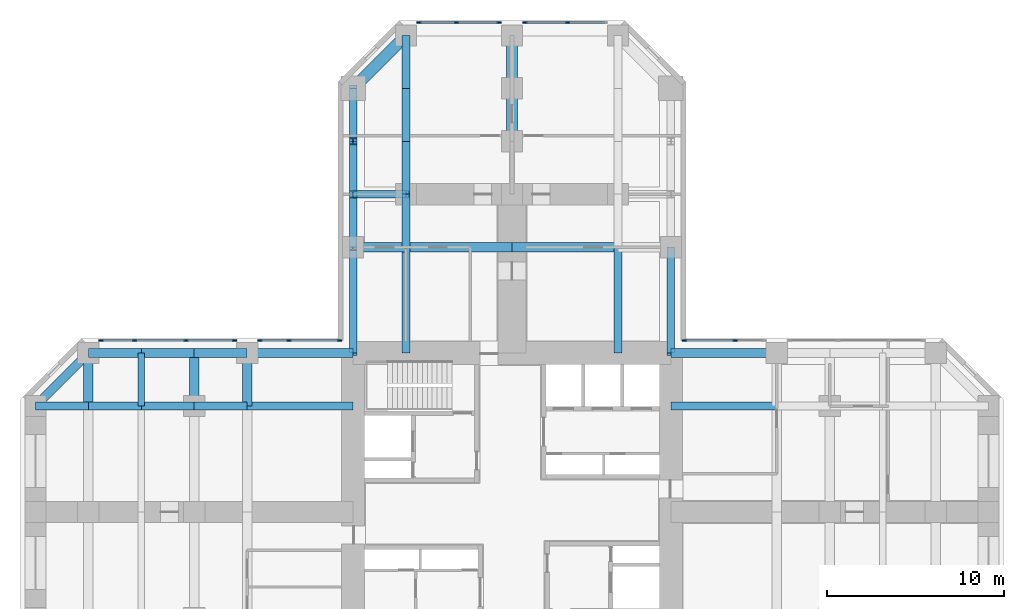
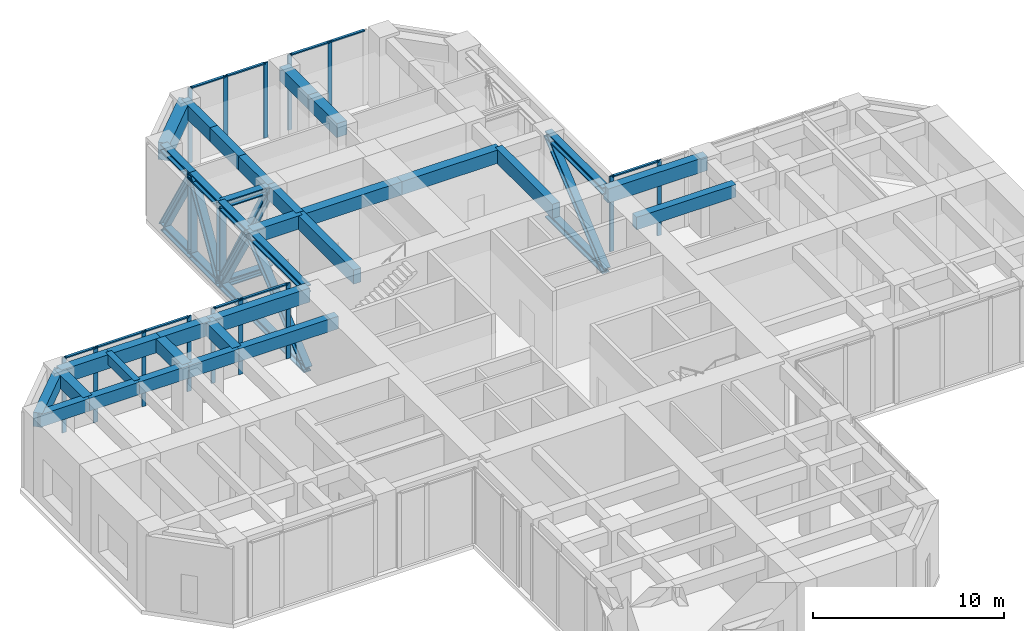
# One storey, part 4 of 11: 44 members, 28 beams, 3 elements without a shape of their own.
"""IFC4 building model written with IfcOpenShell, lengths in metres."""

from ifc_helpers import new_model, si_unit, direction, frame, origin, origin_2d, place, context, subcontext, project, spatial, rectangle, i_section, extrude, material, material_profile, profile_set, type_object, element, aggregate, save


model = new_model("IFC4")

# Units and contexts
model_context = context("Model", 3, precision=1e-05, world=origin(), true_north=direction((0.0, 1.0)))
body_context = subcontext(model_context, "Body", "Model", "MODEL_VIEW")
ifc_project = project(units=[si_unit("LENGTHUNIT", "METRE"), si_unit("AREAUNIT", "SQUARE_METRE"), si_unit("VOLUMEUNIT", "CUBIC_METRE"), si_unit("PLANEANGLEUNIT", "RADIAN"), si_unit("MASSUNIT", "GRAM", prefix="KILO")], contexts=[model_context])

# Site, building, storey
site_placement = place(None, origin())
site = spatial("IfcSite", under=ifc_project, at=site_placement, CompositionType="ELEMENT")
building_placement = place(site_placement, origin())
building = spatial("IfcBuilding", under=site, at=building_placement, Name="Torre Cruceta", CompositionType="ELEMENT")
storey_placement = place(building_placement, frame((0.0, 0.0, 95.5)))
storey = spatial("IfcBuildingStorey", under=building, at=storey_placement, Name="L23", CompositionType="ELEMENT", Elevation=95.5)

# Beams
ifc_material_1 = material(Name="Concrete G60 (fck 60 MPa)", Category="concrete")
ifc_material_profile_1 = material_profile(ifc_material_1, rectangle(XDim=0.60009765625, YDim=0.89990234375, at=origin_2d()), Name="RC 600X900")
ifc_profile_set_1 = profile_set([ifc_material_profile_1], Name="Concrete G60 (fck 60 MPa)")
beam_type_1 = type_object("IfcBeamType", Name="ARM CENTRE BEAM RC 600X900", PredefinedType="BEAM", material=ifc_profile_set_1)
for number, where, z_axis, x_axis, name in (
    (1, (0.0, 21.0, 4.35009765625), (0.0, 1.0, 0.0), (-1.0, 0.0, 0.0), "MB3 L23 N centre 1"),
    (2, (0.0, 24.0, 4.35009765625), (0.0, 1.0, 0.0), (-1.0, 0.0, 0.0), "MB3 L23 N centre 2"),
):
    element("IfcBeam", number, at=place(storey_placement, frame(where, z_axis=z_axis, x_axis=x_axis)), inside=storey, type_object=beam_type_1, Name=name, PredefinedType="BEAM", context=body_context, shape_type="SweptSolid", body=[
        extrude(rectangle(XDim=0.60009765625, YDim=0.89990234375, at=origin_2d()), origin(), (0.0, 0.0, 1.0), 3.0),
    ])

# Members
ifc_material_2 = material(Name="Steel A913 Gr65", Category="steel")
ifc_material_profile_2 = material_profile(ifc_material_2, i_section(OverallWidth=0.419189453125, OverallDepth=0.45458984375, WebThickness=0.042236328125, FlangeThickness=0.067626953125, at=origin_2d()), Name="W14X370")
ifc_profile_set_2 = profile_set([ifc_material_profile_2], Name="Steel A913 Gr65")
member_type_1 = type_object("IfcMemberType", Name="BELT TRUSS CHORD 1 W14X370", PredefinedType="CHORD", material=ifc_profile_set_2)
for number, where, z_axis, x_axis, name in (
    (3, (9.0, 9.0, -0.477294921875), (0.0, 1.0, 0.0), (-1.0, 0.0, 0.0), "Belt truss 1 S-B1"),
    (4, (9.0, 9.0, 4.57275390625), (0.0, 1.0, 0.0), (-1.0, 0.0, 0.0), "Belt truss 1 S-T1"),
    (5, (-9.0, 9.0, -0.477294921875), (0.0, 1.0, 0.0), (-1.0, 0.0, 0.0), "Belt truss 1 S+B1"),
    (6, (-9.0, 9.0, 4.57275390625), (0.0, 1.0, 0.0), (-1.0, 0.0, 0.0), "Belt truss 1 S+T1"),
):
    element("IfcMember", number, at=place(storey_placement, frame(where, z_axis=z_axis, x_axis=x_axis)), inside=storey, type_object=member_type_1, Name=name, PredefinedType="CHORD", context=body_context, shape_type="SweptSolid", body=[
        extrude(i_section(OverallWidth=0.419189453125, OverallDepth=0.45458984375, WebThickness=0.042236328125, FlangeThickness=0.067626953125, at=origin_2d()), origin(), (0.0, 0.0, 1.0), 6.0),
    ])
for number, where, z_axis, x_axis, name in (
    (7, (-9.0, 15.0, -0.477294921875), (0.0, 1.0, 0.0), (-1.0, 0.0, 0.0), "Belt truss 1 S+B2"),
    (8, (-9.0, 15.0, 4.57275390625), (0.0, 1.0, 0.0), (-1.0, 0.0, 0.0), "Belt truss 1 S+T2"),
    (9, (-9.0, 18.0, -0.477294921875), (0.0, 1.0, 0.0), (-1.0, 0.0, 0.0), "Belt truss 1 S+B3"),
    (10, (-9.0, 18.0, 4.57275390625), (0.0, 1.0, 0.0), (-1.0, 0.0, 0.0), "Belt truss 1 S+T3"),
    (11, (-9.0, 21.0, -0.477294921875), (0.0, 1.0, 0.0), (-1.0, 0.0, 0.0), "Belt truss 1 S+B4"),
    (12, (-9.0, 21.0, 4.57275390625), (0.0, 1.0, 0.0), (-1.0, 0.0, 0.0), "Belt truss 1 S+T4"),
    (13, (-6.0, 18.0, -0.477294921875), (-1.0, 0.0, 0.0), (0.0, -1.0, 0.0), "Belt truss 1 XB4"),
    (14, (-6.0, 18.0, 4.57275390625), (-1.0, 0.0, 0.0), (0.0, -1.0, 0.0), "Belt truss 1 XT4"),
):
    element("IfcMember", number, at=place(storey_placement, frame(where, z_axis=z_axis, x_axis=x_axis)), inside=storey, type_object=member_type_1, Name=name, PredefinedType="CHORD", context=body_context, shape_type="SweptSolid", body=[
        extrude(i_section(OverallWidth=0.419189453125, OverallDepth=0.45458984375, WebThickness=0.042236328125, FlangeThickness=0.067626953125, at=origin_2d()), origin(), (0.0, 0.0, 1.0), 3.0),
    ])
ifc_material_3 = material(Name="Steel A913 Gr65", Category="steel")
ifc_material_profile_3 = material_profile(ifc_material_3, i_section(OverallWidth=0.419189453125, OverallDepth=0.45458984375, WebThickness=0.042236328125, FlangeThickness=0.067626953125, at=origin_2d()), Name="W14X370")
ifc_profile_set_3 = profile_set([ifc_material_profile_3], Name="Steel A913 Gr65")
member_type_2 = type_object("IfcMemberType", Name="BELT TRUSS DIAGONAL 1 W14X370", PredefinedType="BRACE", material=ifc_profile_set_3)
for number, where, z_axis, x_axis, name in (
    (15, (9.0, 9.0, -0.477294921875), (0.0, 0.76507343808, 0.643943036568), (-1.0, 0.0, 0.0), "Belt truss 1 S-D1"),
    (16, (-9.0, 9.0, -0.477294921875), (0.0, 0.76507343808, 0.643943036568), (-1.0, 0.0, 0.0), "Belt truss 1 S+D1"),
):
    element("IfcMember", number, at=place(storey_placement, frame(where, z_axis=z_axis, x_axis=x_axis)), inside=storey, type_object=member_type_2, Name=name, PredefinedType="BRACE", context=body_context, shape_type="SweptSolid", body=[
        extrude(i_section(OverallWidth=0.419189453125, OverallDepth=0.45458984375, WebThickness=0.042236328125, FlangeThickness=0.067626953125, at=origin_2d()), origin(), (0.0, 0.0, 1.0), 7.84228515625),
    ])
for number, where, z_axis, x_axis, name in (
    (17, (-9.0, 18.0, -0.477294921875), (0.0, -0.510731763788, 0.859740115068), (1.0, 0.0, 0.0), "Belt truss 1 S+D2"),
    (18, (-9.0, 18.0, -0.477294921875), (0.0, 0.510731763788, 0.859740115068), (-1.0, 0.0, 0.0), "Belt truss 1 S+D3"),
    (19, (-9.0, 24.0, -0.477294921875), (0.0, -0.510731763788, 0.859740115068), (1.0, 0.0, 0.0), "Belt truss 1 S+D4"),
    (20, (-9.0, 18.0, -0.477294921875), (0.510731763788, 0.0, 0.859740115068), (0.0, 1.0, 0.0), "Belt truss 1 XD4"),
):
    element("IfcMember", number, at=place(storey_placement, frame(where, z_axis=z_axis, x_axis=x_axis)), inside=storey, type_object=member_type_2, Name=name, PredefinedType="BRACE", context=body_context, shape_type="SweptSolid", body=[
        extrude(i_section(OverallWidth=0.419189453125, OverallDepth=0.45458984375, WebThickness=0.042236328125, FlangeThickness=0.067626953125, at=origin_2d()), origin(), (0.0, 0.0, 1.0), 5.8740234375),
    ])
ifc_material_4 = material(Name="Steel A913 Gr65", Category="steel")
ifc_material_profile_4 = material_profile(ifc_material_4, i_section(OverallWidth=0.393798828125, OverallDepth=0.3759765625, WebThickness=0.017333984375, FlangeThickness=0.027587890625, at=origin_2d()), Name="W14X145")
ifc_profile_set_4 = profile_set([ifc_material_profile_4], Name="Steel A913 Gr65")
member_type_3 = type_object("IfcMemberType", Name="BELT TRUSS POST 1 W14X145", PredefinedType="POST", material=ifc_profile_set_4)
for number, where, z_axis, x_axis, name in (
    (21, (-9.0, 18.0, -0.477294921875), (0.0, 0.0, 1.0), (1.0, 0.0, 0.0), "Belt truss 1 S+P18"),
    (22, (-9.0, 21.0, -0.477294921875), (0.0, 0.0, 1.0), (1.0, 0.0, 0.0), "Belt truss 1 S+P21"),
):
    element("IfcMember", number, at=place(storey_placement, frame(where, z_axis=z_axis, x_axis=x_axis)), inside=storey, type_object=member_type_3, Name=name, PredefinedType="POST", context=body_context, shape_type="SweptSolid", body=[
        extrude(i_section(OverallWidth=0.393798828125, OverallDepth=0.3759765625, WebThickness=0.017333984375, FlangeThickness=0.027587890625, at=origin_2d()), origin(), (0.0, 0.0, 1.0), 5.050048828125),
    ])

# Beams
ifc_material_5 = material(Name="Concrete G60 (fck 60 MPa)", Category="concrete")
ifc_material_profile_5 = material_profile(ifc_material_5, rectangle(XDim=0.449951171875, YDim=0.800048828125, at=origin_2d()), Name="RC 450X800")
ifc_profile_set_5 = profile_set([ifc_material_profile_5], Name="Concrete G60 (fck 60 MPa)")
beam_type_2 = type_object("IfcBeamType", Name="COLUMN LINE BEAM RC 450X800", PredefinedType="BEAM", material=ifc_profile_set_5)
for number, where, z_axis, x_axis, name in (
    (23, (9.0, 6.0, 4.39990234375), (1.0, 0.0, 0.0), (0.0, 1.0, 0.0), "LB1 L23 E col+ 1"),
    (24, (-9.0, 6.0, 4.39990234375), (-1.0, 0.0, 0.0), (0.0, -1.0, 0.0), "LB1 L23 W col- 1"),
):
    element("IfcBeam", number, at=place(storey_placement, frame(where, z_axis=z_axis, x_axis=x_axis)), inside=storey, type_object=beam_type_2, Name=name, PredefinedType="BEAM", context=body_context, shape_type="SweptSolid", body=[
        extrude(rectangle(XDim=0.449951171875, YDim=0.800048828125, at=origin_2d()), origin(), (0.0, 0.0, 1.0), 6.0),
    ])
for number, where, z_axis, x_axis, name in (
    (25, (-15.0, 6.0, 4.39990234375), (-1.0, 0.0, 0.0), (0.0, -1.0, 0.0), "LB1 L23 W col- 2"),
    (26, (-18.0, 6.0, 4.39990234375), (-1.0, 0.0, 0.0), (0.0, -1.0, 0.0), "LB1 L23 W col- 3"),
    (27, (-21.0, 6.0, 4.39990234375), (-1.0, 0.0, 0.0), (0.0, -1.0, 0.0), "LB1 L23 W col- 4"),
    (28, (-24.0, 6.0, 4.39990234375), (-1.0, 0.0, 0.0), (0.0, -1.0, 0.0), "LB1 L23 W col- 5"),
):
    element("IfcBeam", number, at=place(storey_placement, frame(where, z_axis=z_axis, x_axis=x_axis)), inside=storey, type_object=beam_type_2, Name=name, PredefinedType="BEAM", context=body_context, shape_type="SweptSolid", body=[
        extrude(rectangle(XDim=0.449951171875, YDim=0.800048828125, at=origin_2d()), origin(), (0.0, 0.0, 1.0), 3.0),
    ])
ifc_material_6 = material(Name="Concrete G60 (fck 60 MPa)", Category="concrete")
ifc_material_profile_6 = material_profile(ifc_material_6, rectangle(XDim=0.449951171875, YDim=0.89990234375, at=origin_2d()), Name="RC 450X900")
ifc_profile_set_6 = profile_set([ifc_material_profile_6], Name="Concrete G60 (fck 60 MPa)")
beam_type_3 = type_object("IfcBeamType", Name="COLUMN LINE BEAM RC 450X900", PredefinedType="BEAM", material=ifc_profile_set_6)
for number, where, z_axis, x_axis, name in (
    (29, (6.0, 9.0, 4.35009765625), (0.0, 1.0, 0.0), (-1.0, 0.0, 0.0), "LB4 L23 N col- 1"),
    (30, (-6.0, 9.0, 4.35009765625), (0.0, 1.0, 0.0), (-1.0, 0.0, 0.0), "LB4 L23 N col+ 1"),
):
    element("IfcBeam", number, at=place(storey_placement, frame(where, z_axis=z_axis, x_axis=x_axis)), inside=storey, type_object=beam_type_3, Name=name, PredefinedType="BEAM", context=body_context, shape_type="SweptSolid", body=[
        extrude(rectangle(XDim=0.449951171875, YDim=0.89990234375, at=origin_2d()), origin(), (0.0, 0.0, 1.0), 6.0),
    ])
for number, where, z_axis, x_axis, name in (
    (31, (-6.0, 15.0, 4.35009765625), (0.0, 1.0, 0.0), (-1.0, 0.0, 0.0), "LB4 L23 N col+ 2"),
    (32, (-6.0, 18.0, 4.35009765625), (0.0, 1.0, 0.0), (-1.0, 0.0, 0.0), "LB4 L23 N col+ 3"),
    (33, (-6.0, 21.0, 4.35009765625), (0.0, 1.0, 0.0), (-1.0, 0.0, 0.0), "LB4 L23 N col+ 4"),
    (34, (-6.0, 24.0, 4.35009765625), (0.0, 1.0, 0.0), (-1.0, 0.0, 0.0), "LB4 L23 N col+ 5"),
):
    element("IfcBeam", number, at=place(storey_placement, frame(where, z_axis=z_axis, x_axis=x_axis)), inside=storey, type_object=beam_type_3, Name=name, PredefinedType="BEAM", context=body_context, shape_type="SweptSolid", body=[
        extrude(rectangle(XDim=0.449951171875, YDim=0.89990234375, at=origin_2d()), origin(), (0.0, 0.0, 1.0), 3.0),
    ])
ifc_material_7 = material(Name="Concrete G60 (fck 60 MPa)", Category="concrete")
ifc_material_profile_7 = material_profile(ifc_material_7, rectangle(XDim=0.550048828125, YDim=0.85009765625, at=origin_2d()), Name="RC 550X850")
ifc_profile_set_7 = profile_set([ifc_material_profile_7], Name="Concrete G60 (fck 60 MPa)")
beam_type_4 = type_object("IfcBeamType", Name="CROSS BEAM RC 550X850", PredefinedType="BEAM", material=ifc_profile_set_7)
for number, where, z_axis, x_axis, name in (
    (35, (6.0, 15.0, 4.375), (-1.0, 0.0, 0.0), (0.0, -1.0, 0.0), "GB4 L23 N cross15 2"),
    (36, (0.0, 15.0, 4.375), (-1.0, 0.0, 0.0), (0.0, -1.0, 0.0), "GB4 L23 N cross15 3"),
):
    element("IfcBeam", number, at=place(storey_placement, frame(where, z_axis=z_axis, x_axis=x_axis)), inside=storey, type_object=beam_type_4, Name=name, PredefinedType="BEAM", context=body_context, shape_type="SweptSolid", body=[
        extrude(rectangle(XDim=0.550048828125, YDim=0.85009765625, at=origin_2d()), origin(), (0.0, 0.0, 1.0), 6.0),
    ])
for number, where, z_axis, x_axis, name in (
    (37, (-6.0, 15.0, 4.375), (-1.0, 0.0, 0.0), (0.0, -1.0, 0.0), "GB4 L23 N cross15 4"),
    (38, (-15.0, 9.0, 4.375), (0.0, -1.0, 0.0), (1.0, 0.0, 0.0), "GB4 L23 W cross15 1"),
    (39, (-18.0, 9.0, 4.375), (0.0, -1.0, 0.0), (1.0, 0.0, 0.0), "GB4 L23 W cross18 1"),
    (40, (-24.0, 9.0, 4.375), (0.0, -1.0, 0.0), (1.0, 0.0, 0.0), "GB4 L23 W cross24 1"),
):
    element("IfcBeam", number, at=place(storey_placement, frame(where, z_axis=z_axis, x_axis=x_axis)), inside=storey, type_object=beam_type_4, Name=name, PredefinedType="BEAM", context=body_context, shape_type="SweptSolid", body=[
        extrude(rectangle(XDim=0.550048828125, YDim=0.85009765625, at=origin_2d()), origin(), (0.0, 0.0, 1.0), 3.0),
    ])

# Curtain wall, members
ifc_material_8 = material(Name="Aluminium unitised curtain wall", Category="aluminium")
curtain_wall_type = type_object("IfcCurtainWallType", Name="CURTAIN WALL CW-S SKY GARDEN", PredefinedType="USERDEFINED", material=ifc_material_8)
curtain_wall_1_placement = place(storey_placement, origin())
curtain_wall_1 = element("IfcCurtainWall", 41, at=curtain_wall_1_placement, inside=storey, type_object=curtain_wall_type, Name="CW-S L23 E side 04", ObjectType="UNITISED", PredefinedType="USERDEFINED")
ifc_material_9 = material(Name="Aluminium mullion", Category="aluminium")
ifc_material_profile_8 = material_profile(ifc_material_9, rectangle(XDim=0.080078125, YDim=0.25, at=origin_2d()), Name="AL 80X250")
ifc_profile_set_8 = profile_set([ifc_material_profile_8], Name="Aluminium mullion")
member_type_4 = type_object("IfcMemberType", Name="CW-S MULLION 80X250", PredefinedType="MULLION", material=ifc_profile_set_8)
member_1_placement = place(storey_placement, frame((12.6357421875, 9.719970703125, 0.0), z_axis=(0.0, 0.0, 1.0), x_axis=(0.0, -1.0, 0.0)))
member_1 = element("IfcMember", 42, at=member_1_placement, type_object=member_type_4, Name="CW-S mullion 6", PredefinedType="MULLION", context=body_context, shape_type="SweptSolid", body=[
    extrude(rectangle(XDim=0.080078125, YDim=0.25, at=origin_2d()), origin(), (0.0, 0.0, 1.0), 4.800048828125),
])
member_2_placement = place(storey_placement, frame((9.760009765625, 9.719970703125, 0.0), z_axis=(0.0, 0.0, 1.0), x_axis=(0.0, -1.0, 0.0)))
member_2 = element("IfcMember", 43, at=member_2_placement, type_object=member_type_4, Name="CW-S mullion 7", PredefinedType="MULLION", context=body_context, shape_type="SweptSolid", body=[
    extrude(rectangle(XDim=0.080078125, YDim=0.25, at=origin_2d()), origin(), (0.0, 0.0, 1.0), 4.800048828125),
])

curtain_wall_2_placement = place(storey_placement, origin())
curtain_wall_2 = element("IfcCurtainWall", 44, at=curtain_wall_2_placement, inside=storey, type_object=curtain_wall_type, Name="CW-S L23 N tip 07", ObjectType="UNITISED", PredefinedType="USERDEFINED")
member_3_placement = place(storey_placement, frame((3.149169921875, 27.719970703125, 0.0), z_axis=(0.0, 0.0, 1.0), x_axis=(0.0, -1.0, 0.0)))
member_3 = element("IfcMember", 45, at=member_3_placement, type_object=member_type_4, Name="CW-S mullion 2", PredefinedType="MULLION", context=body_context, shape_type="SweptSolid", body=[
    extrude(rectangle(XDim=0.080078125, YDim=0.25, at=origin_2d()), origin(), (0.0, 0.0, 1.0), 4.800048828125),
])
member_4_placement = place(storey_placement, frame((0.72607421875, 27.719970703125, 0.0), z_axis=(0.0, 0.0, 1.0), x_axis=(0.0, -1.0, 0.0)))
member_4 = element("IfcMember", 46, at=member_4_placement, type_object=member_type_4, Name="CW-S mullion 3", PredefinedType="MULLION", context=body_context, shape_type="SweptSolid", body=[
    extrude(rectangle(XDim=0.080078125, YDim=0.25, at=origin_2d()), origin(), (0.0, 0.0, 1.0), 4.800048828125),
])
member_5_placement = place(storey_placement, frame((-0.72607421875, 27.719970703125, 0.0), z_axis=(0.0, 0.0, 1.0), x_axis=(0.0, -1.0, 0.0)))
member_5 = element("IfcMember", 47, at=member_5_placement, type_object=member_type_4, Name="CW-S mullion 4", PredefinedType="MULLION", context=body_context, shape_type="SweptSolid", body=[
    extrude(rectangle(XDim=0.080078125, YDim=0.25, at=origin_2d()), origin(), (0.0, 0.0, 1.0), 4.800048828125),
])
member_6_placement = place(storey_placement, frame((-3.149169921875, 27.719970703125, 0.0), z_axis=(0.0, 0.0, 1.0), x_axis=(0.0, -1.0, 0.0)))
member_6 = element("IfcMember", 48, at=member_6_placement, type_object=member_type_4, Name="CW-S mullion 5", PredefinedType="MULLION", context=body_context, shape_type="SweptSolid", body=[
    extrude(rectangle(XDim=0.080078125, YDim=0.25, at=origin_2d()), origin(), (0.0, 0.0, 1.0), 4.800048828125),
])
member_7_placement = place(storey_placement, frame((-5.27392578125, 27.719970703125, 0.0), z_axis=(0.0, 0.0, 1.0), x_axis=(0.0, -1.0, 0.0)))
member_7 = element("IfcMember", 49, at=member_7_placement, type_object=member_type_4, Name="CW-S mullion 6", PredefinedType="MULLION", context=body_context, shape_type="SweptSolid", body=[
    extrude(rectangle(XDim=0.080078125, YDim=0.25, at=origin_2d()), origin(), (0.0, 0.0, 1.0), 4.800048828125),
])

curtain_wall_3_placement = place(storey_placement, origin())
curtain_wall_3 = element("IfcCurtainWall", 50, at=curtain_wall_3_placement, inside=storey, type_object=curtain_wall_type, Name="CW-S L23 W side 10", ObjectType="UNITISED", PredefinedType="USERDEFINED")
member_8_placement = place(storey_placement, frame((-9.760009765625, 9.719970703125, 0.0), z_axis=(0.0, 0.0, 1.0), x_axis=(0.0, -1.0, 0.0)))
member_8 = element("IfcMember", 51, at=member_8_placement, type_object=member_type_4, Name="CW-S mullion 1", PredefinedType="MULLION", context=body_context, shape_type="SweptSolid", body=[
    extrude(rectangle(XDim=0.080078125, YDim=0.25, at=origin_2d()), origin(), (0.0, 0.0, 1.0), 4.800048828125),
])
member_9_placement = place(storey_placement, frame((-12.6357421875, 9.719970703125, 0.0), z_axis=(0.0, 0.0, 1.0), x_axis=(0.0, -1.0, 0.0)))
member_9 = element("IfcMember", 52, at=member_9_placement, type_object=member_type_4, Name="CW-S mullion 2", PredefinedType="MULLION", context=body_context, shape_type="SweptSolid", body=[
    extrude(rectangle(XDim=0.080078125, YDim=0.25, at=origin_2d()), origin(), (0.0, 0.0, 1.0), 4.800048828125),
])
member_10_placement = place(storey_placement, frame((-14.27392578125, 9.719970703125, 0.0), z_axis=(0.0, 0.0, 1.0), x_axis=(0.0, -1.0, 0.0)))
member_10 = element("IfcMember", 53, at=member_10_placement, type_object=member_type_4, Name="CW-S mullion 3", PredefinedType="MULLION", context=body_context, shape_type="SweptSolid", body=[
    extrude(rectangle(XDim=0.080078125, YDim=0.25, at=origin_2d()), origin(), (0.0, 0.0, 1.0), 4.800048828125),
])
member_11_placement = place(storey_placement, frame((-15.72607421875, 9.719970703125, 0.0), z_axis=(0.0, 0.0, 1.0), x_axis=(0.0, -1.0, 0.0)))
member_11 = element("IfcMember", 54, at=member_11_placement, type_object=member_type_4, Name="CW-S mullion 4", PredefinedType="MULLION", context=body_context, shape_type="SweptSolid", body=[
    extrude(rectangle(XDim=0.080078125, YDim=0.25, at=origin_2d()), origin(), (0.0, 0.0, 1.0), 4.800048828125),
])
member_12_placement = place(storey_placement, frame((-18.467041015625, 9.719970703125, 0.0), z_axis=(0.0, 0.0, 1.0), x_axis=(0.0, -1.0, 0.0)))
member_12 = element("IfcMember", 55, at=member_12_placement, type_object=member_type_4, Name="CW-S mullion 5", PredefinedType="MULLION", context=body_context, shape_type="SweptSolid", body=[
    extrude(rectangle(XDim=0.080078125, YDim=0.25, at=origin_2d()), origin(), (0.0, 0.0, 1.0), 4.800048828125),
])
member_13_placement = place(storey_placement, frame((-21.382568359375, 9.719970703125, 0.0), z_axis=(0.0, 0.0, 1.0), x_axis=(0.0, -1.0, 0.0)))
member_13 = element("IfcMember", 56, at=member_13_placement, type_object=member_type_4, Name="CW-S mullion 6", PredefinedType="MULLION", context=body_context, shape_type="SweptSolid", body=[
    extrude(rectangle(XDim=0.080078125, YDim=0.25, at=origin_2d()), origin(), (0.0, 0.0, 1.0), 4.800048828125),
])
member_14_placement = place(storey_placement, frame((-23.27392578125, 9.719970703125, 0.0), z_axis=(0.0, 0.0, 1.0), x_axis=(0.0, -1.0, 0.0)))
member_14 = element("IfcMember", 57, at=member_14_placement, type_object=member_type_4, Name="CW-S mullion 7", PredefinedType="MULLION", context=body_context, shape_type="SweptSolid", body=[
    extrude(rectangle(XDim=0.080078125, YDim=0.25, at=origin_2d()), origin(), (0.0, 0.0, 1.0), 4.800048828125),
])

# Member
ifc_material_10 = material(Name="Aluminium transom", Category="aluminium")
ifc_material_profile_9 = material_profile(ifc_material_10, rectangle(XDim=0.14990234375, YDim=0.080078125, at=origin_2d()), Name="AL 150X80")
ifc_profile_set_9 = profile_set([ifc_material_profile_9], Name="Aluminium transom")
member_type_5 = type_object("IfcMemberType", Name="CW-S TRANSOM 80X150", PredefinedType="USERDEFINED", material=ifc_profile_set_9)
member_15_placement = place(storey_placement, frame((12.595703125, 9.719970703125, 4.760009765625), z_axis=(-1.0, 0.0, 0.0), x_axis=(0.0, -1.0, 0.0)))
member_15 = element("IfcMember", 58, at=member_15_placement, type_object=member_type_5, Name="CW-S transom 5", ObjectType="TRANSOM", PredefinedType="USERDEFINED", context=body_context, shape_type="SweptSolid", body=[
    extrude(rectangle(XDim=0.14990234375, YDim=0.080078125, at=origin_2d()), origin(), (0.0, 0.0, 1.0), 2.795654296875),
])

aggregate(curtain_wall_1, [member_1, member_2, member_15])

member_16_placement = place(storey_placement, frame((5.23388671875, 27.719970703125, 4.760009765625), z_axis=(-1.0, 0.0, 0.0), x_axis=(0.0, -1.0, 0.0)))
member_16 = element("IfcMember", 59, at=member_16_placement, type_object=member_type_5, Name="CW-S transom 1", ObjectType="TRANSOM", PredefinedType="USERDEFINED", context=body_context, shape_type="SweptSolid", body=[
    extrude(rectangle(XDim=0.14990234375, YDim=0.080078125, at=origin_2d()), origin(), (0.0, 0.0, 1.0), 2.044677734375),
])

member_17_placement = place(storey_placement, frame((3.109130859375, 27.719970703125, 4.760009765625), z_axis=(-1.0, 0.0, 0.0), x_axis=(0.0, -1.0, 0.0)))
member_17 = element("IfcMember", 60, at=member_17_placement, type_object=member_type_5, Name="CW-S transom 2", ObjectType="TRANSOM", PredefinedType="USERDEFINED", context=body_context, shape_type="SweptSolid", body=[
    extrude(rectangle(XDim=0.14990234375, YDim=0.080078125, at=origin_2d()), origin(), (0.0, 0.0, 1.0), 2.343017578125),
])

member_18_placement = place(storey_placement, frame((-0.76611328125, 27.719970703125, 4.760009765625), z_axis=(-1.0, 0.0, 0.0), x_axis=(0.0, -1.0, 0.0)))
member_18 = element("IfcMember", 61, at=member_18_placement, type_object=member_type_5, Name="CW-S transom 3", ObjectType="TRANSOM", PredefinedType="USERDEFINED", context=body_context, shape_type="SweptSolid", body=[
    extrude(rectangle(XDim=0.14990234375, YDim=0.080078125, at=origin_2d()), origin(), (0.0, 0.0, 1.0), 2.343017578125),
])

member_19_placement = place(storey_placement, frame((-3.189208984375, 27.719970703125, 4.760009765625), z_axis=(-1.0, 0.0, 0.0), x_axis=(0.0, -1.0, 0.0)))
member_19 = element("IfcMember", 62, at=member_19_placement, type_object=member_type_5, Name="CW-S transom 4", ObjectType="TRANSOM", PredefinedType="USERDEFINED", context=body_context, shape_type="SweptSolid", body=[
    extrude(rectangle(XDim=0.14990234375, YDim=0.080078125, at=origin_2d()), origin(), (0.0, 0.0, 1.0), 2.044677734375),
])

aggregate(curtain_wall_2, [member_3, member_4, member_5, member_6, member_7, member_16, member_17, member_18, member_19])

member_20_placement = place(storey_placement, frame((-9.800048828125, 9.719970703125, 4.760009765625), z_axis=(-1.0, 0.0, 0.0), x_axis=(0.0, -1.0, 0.0)))
member_20 = element("IfcMember", 63, at=member_20_placement, type_object=member_type_5, Name="CW-S transom 1", ObjectType="TRANSOM", PredefinedType="USERDEFINED", context=body_context, shape_type="SweptSolid", body=[
    extrude(rectangle(XDim=0.14990234375, YDim=0.080078125, at=origin_2d()), origin(), (0.0, 0.0, 1.0), 2.795654296875),
])

member_21_placement = place(storey_placement, frame((-12.675537109375, 9.719970703125, 4.760009765625), z_axis=(-1.0, 0.0, 0.0), x_axis=(0.0, -1.0, 0.0)))
member_21 = element("IfcMember", 64, at=member_21_placement, type_object=member_type_5, Name="CW-S transom 2", ObjectType="TRANSOM", PredefinedType="USERDEFINED", context=body_context, shape_type="SweptSolid", body=[
    extrude(rectangle(XDim=0.14990234375, YDim=0.080078125, at=origin_2d()), origin(), (0.0, 0.0, 1.0), 1.558349609375),
])

member_22_placement = place(storey_placement, frame((-15.76611328125, 9.719970703125, 4.760009765625), z_axis=(-1.0, 0.0, 0.0), x_axis=(0.0, -1.0, 0.0)))
member_22 = element("IfcMember", 65, at=member_22_placement, type_object=member_type_5, Name="CW-S transom 3", ObjectType="TRANSOM", PredefinedType="USERDEFINED", context=body_context, shape_type="SweptSolid", body=[
    extrude(rectangle(XDim=0.14990234375, YDim=0.080078125, at=origin_2d()), origin(), (0.0, 0.0, 1.0), 2.660888671875),
])

member_23_placement = place(storey_placement, frame((-18.5068359375, 9.719970703125, 4.760009765625), z_axis=(-1.0, 0.0, 0.0), x_axis=(0.0, -1.0, 0.0)))
member_23 = element("IfcMember", 66, at=member_23_placement, type_object=member_type_5, Name="CW-S transom 4", ObjectType="TRANSOM", PredefinedType="USERDEFINED", context=body_context, shape_type="SweptSolid", body=[
    extrude(rectangle(XDim=0.14990234375, YDim=0.080078125, at=origin_2d()), origin(), (0.0, 0.0, 1.0), 2.835693359375),
])

member_24_placement = place(storey_placement, frame((-21.422607421875, 9.719970703125, 4.760009765625), z_axis=(-1.0, 0.0, 0.0), x_axis=(0.0, -1.0, 0.0)))
member_24 = element("IfcMember", 67, at=member_24_placement, type_object=member_type_5, Name="CW-S transom 5", ObjectType="TRANSOM", PredefinedType="USERDEFINED", context=body_context, shape_type="SweptSolid", body=[
    extrude(rectangle(XDim=0.14990234375, YDim=0.080078125, at=origin_2d()), origin(), (0.0, 0.0, 1.0), 1.811279296875),
])

aggregate(curtain_wall_3, [member_8, member_9, member_10, member_11, member_12, member_13, member_14, member_20, member_21, member_22, member_23, member_24])

# Beams
ifc_material_11 = material(Name="Concrete G60 (fck 60 MPa)", Category="concrete")
ifc_material_profile_10 = material_profile(ifc_material_11, rectangle(XDim=0.35009765625, YDim=0.64990234375, at=origin_2d()), Name="RC 350X650")
ifc_profile_set_10 = profile_set([ifc_material_profile_10], Name="Concrete G60 (fck 60 MPa)")
beam_type_5 = type_object("IfcBeamType", Name="SECONDARY BEAM RC 350X650", PredefinedType="JOIST", material=ifc_profile_set_10)
beam_1_placement = place(storey_placement, frame((-21.0, 9.0, 4.47509765625), z_axis=(0.0, -1.0, 0.0), x_axis=(1.0, 0.0, 0.0)))
element("IfcBeam", 68, at=beam_1_placement, inside=storey, type_object=beam_type_5, Name="JB3 L23 W sec21 1", PredefinedType="JOIST", context=body_context, shape_type="SweptSolid", body=[
    extrude(rectangle(XDim=0.35009765625, YDim=0.64990234375, at=origin_2d()), origin(), (0.0, 0.0, 1.0), 3.0),
])
ifc_material_12 = material(Name="Concrete G60 (fck 60 MPa)", Category="concrete")
ifc_material_profile_11 = material_profile(ifc_material_12, rectangle(XDim=0.5, YDim=0.89990234375, at=origin_2d()), Name="RC 500X900")
ifc_profile_set_11 = profile_set([ifc_material_profile_11], Name="Concrete G60 (fck 60 MPa)")
beam_type_6 = type_object("IfcBeamType", Name="SPANDREL BEAM RC 500X900", PredefinedType="SPANDREL", material=ifc_profile_set_11)
for number, where, z_axis, x_axis, name in (
    (69, (9.0, 9.0, 4.35009765625), (1.0, 0.0, 0.0), (0.0, 1.0, 0.0), "SB4 L23 E side+ 1"),
    (70, (-9.0, 9.0, 4.35009765625), (-1.0, 0.0, 0.0), (0.0, -1.0, 0.0), "SB4 L23 W side- 1"),
):
    element("IfcBeam", number, at=place(storey_placement, frame(where, z_axis=z_axis, x_axis=x_axis)), inside=storey, type_object=beam_type_6, Name=name, PredefinedType="SPANDREL", context=body_context, shape_type="SweptSolid", body=[
        extrude(rectangle(XDim=0.5, YDim=0.89990234375, at=origin_2d()), origin(), (0.0, 0.0, 1.0), 6.0),
    ])
for number, where, z_axis, x_axis, name in (
    (71, (-15.0, 9.0, 4.35009765625), (-1.0, 0.0, 0.0), (0.0, -1.0, 0.0), "SB4 L23 W side- 2"),
    (72, (-18.0, 9.0, 4.35009765625), (-1.0, 0.0, 0.0), (0.0, -1.0, 0.0), "SB4 L23 W side- 3"),
    (73, (-21.0, 9.0, 4.35009765625), (-1.0, 0.0, 0.0), (0.0, -1.0, 0.0), "SB4 L23 W side- 4"),
):
    element("IfcBeam", number, at=place(storey_placement, frame(where, z_axis=z_axis, x_axis=x_axis)), inside=storey, type_object=beam_type_6, Name=name, PredefinedType="SPANDREL", context=body_context, shape_type="SweptSolid", body=[
        extrude(rectangle(XDim=0.5, YDim=0.89990234375, at=origin_2d()), origin(), (0.0, 0.0, 1.0), 3.0),
    ])
beam_2_placement = place(storey_placement, frame((-24.0, 9.0, 4.35009765625), z_axis=(-0.707106781187, -0.707106781187, 0.0), x_axis=(0.707106781187, -0.707106781187, 0.0)))
element("IfcBeam", 74, at=beam_2_placement, inside=storey, type_object=beam_type_6, Name="SB4 L23 W side- 5", PredefinedType="SPANDREL", context=body_context, shape_type="SweptSolid", body=[
    extrude(rectangle(XDim=0.5, YDim=0.89990234375, at=origin_2d()), origin(), (0.0, 0.0, 1.0), 4.24267578125),
])
ifc_material_13 = material(Name="Concrete G60 (fck 60 MPa)", Category="concrete")
ifc_material_profile_12 = material_profile(ifc_material_13, rectangle(XDim=0.64990234375, YDim=1.10009765625, at=origin_2d()), Name="RC 650X1100")
ifc_profile_set_12 = profile_set([ifc_material_profile_12], Name="Concrete G60 (fck 60 MPa)")
beam_type_7 = type_object("IfcBeamType", Name="SPANDREL BEAM RC 650X1100", PredefinedType="SPANDREL", material=ifc_profile_set_12)
beam_3_placement = place(storey_placement, frame((-9.0, 24.0, 4.25), z_axis=(0.707106781187, 0.707106781187, 0.0), x_axis=(-0.707106781187, 0.707106781187, 0.0)))
element("IfcBeam", 75, at=beam_3_placement, inside=storey, type_object=beam_type_7, Name="SB3 L23 N side+ 5", PredefinedType="SPANDREL", context=body_context, shape_type="SweptSolid", body=[
    extrude(rectangle(XDim=0.64990234375, YDim=1.10009765625, at=origin_2d()), origin(), (0.0, 0.0, 1.0), 4.24267578125),
])

save(model, "model.ifc")
